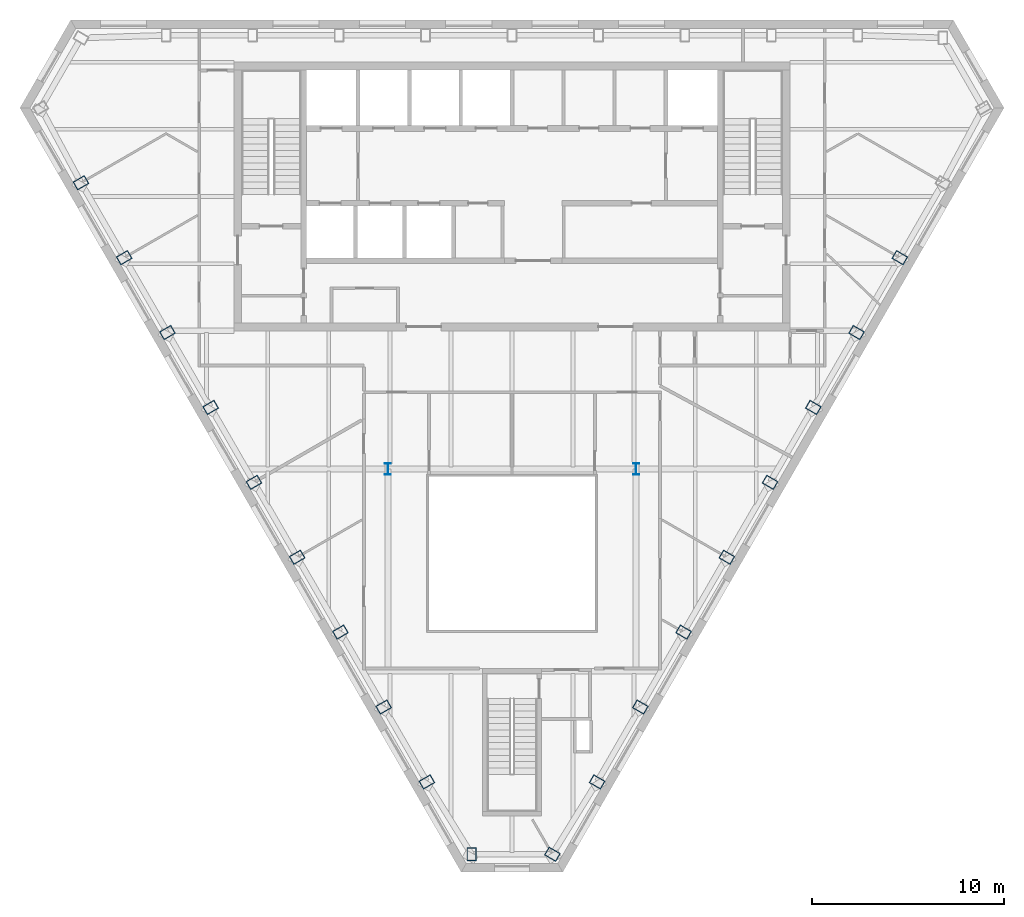
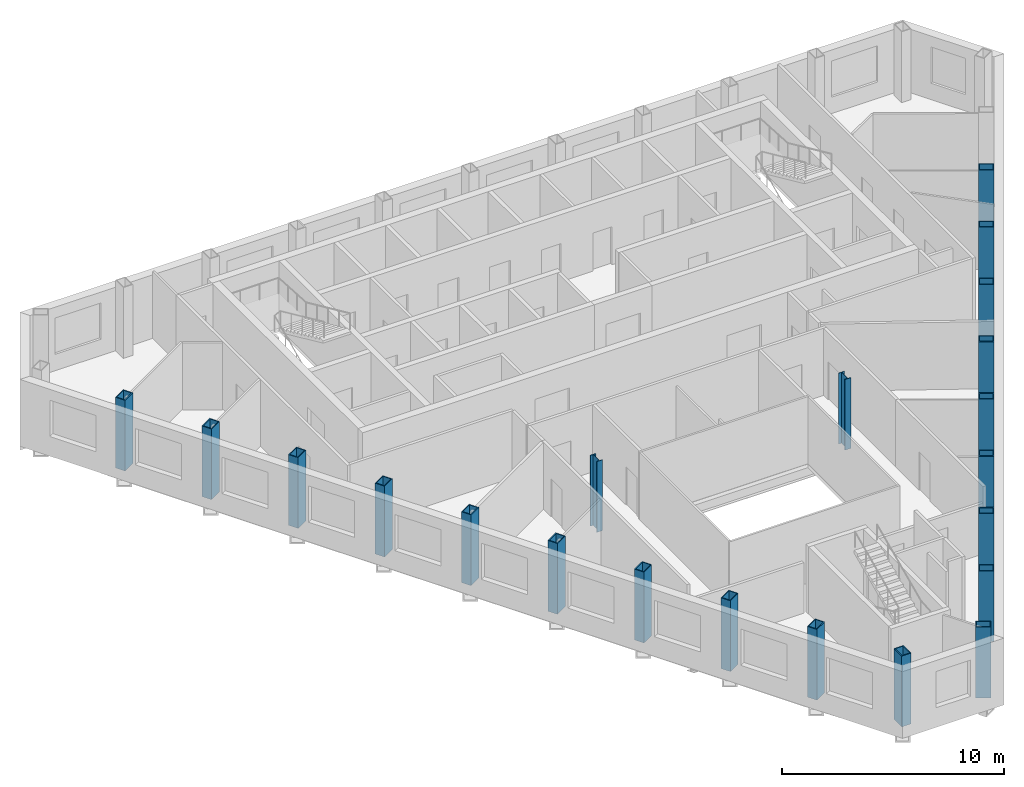
# One storey, part 1 of 10: 21 columns.
"""IFC4 building model written with IfcOpenShell, lengths in metres."""

from ifc_helpers import new_model, si_unit, direction, frame, origin, origin_2d, place, context, subcontext, project, spatial, hollow_rectangle, i_section, extrude, material, material_profile, profile_set, type_object, element, save


model = new_model("IFC4")

# Units and contexts
model_context = context("Model", 3, precision=1e-05, world=origin(), true_north=direction((0.0, 1.0)))
body_context = subcontext(model_context, "Body", "Model", "MODEL_VIEW")
ifc_project = project(units=[si_unit("LENGTHUNIT", "METRE"), si_unit("AREAUNIT", "SQUARE_METRE"), si_unit("VOLUMEUNIT", "CUBIC_METRE"), si_unit("PLANEANGLEUNIT", "RADIAN"), si_unit("MASSUNIT", "GRAM", prefix="KILO")], contexts=[model_context])

# Site, building, storey
site_placement = place(None, origin())
site = spatial("IfcSite", under=ifc_project, at=site_placement, CompositionType="ELEMENT")
building_placement = place(site_placement, origin())
building = spatial("IfcBuilding", under=site, at=building_placement, Name="Njiva Tower", CompositionType="ELEMENT")
storey_placement = place(building_placement, frame((0.0, 0.0, 280.5)))
storey = spatial("IfcBuildingStorey", under=building, at=storey_placement, Name="L64", CompositionType="ELEMENT", Elevation=280.5)

# Columns
ifc_material = material(Name="Steel S355 J2", Category="steel")
ifc_material_profile_1 = material_profile(ifc_material, hollow_rectangle(XDim=0.5, YDim=0.7, WallThickness=0.045, at=origin_2d()), Name="BOX 700x500x45")
ifc_profile_set_1 = profile_set([ifc_material_profile_1], Name="Steel S355 J2")
column_type_1 = type_object("IfcColumnType", Name="C13 Perimeter tube column BOX 700x500x45", PredefinedType="COLUMN", material=ifc_profile_set_1)
for number, where, z_axis, x_axis, name in (
    (1, (-22.467, 11.715, 0.0), (0.0, 0.0, 1.0), (0.5, -0.866025403784, 0.0), "Perimeter tube column S21-C13"),
    (2, (-20.214, 7.811, 0.0), (0.0, 0.0, 1.0), (0.5, -0.866025403784, 0.0), "Perimeter tube column S21-C14"),
    (3, (-17.96, 3.908, 0.0), (0.0, 0.0, 1.0), (0.5, -0.866025403784, 0.0), "Perimeter tube column S21-C15"),
    (4, (-15.706, 0.004, 0.0), (0.0, 0.0, 1.0), (0.5, -0.866025403784, 0.0), "Perimeter tube column S21-C16"),
    (5, (-13.452, -3.9, 0.0), (0.0, 0.0, 1.0), (0.5, -0.866025403784, 0.0), "Perimeter tube column S21-C17"),
    (6, (-11.198, -7.804, 0.0), (0.0, 0.0, 1.0), (0.5, -0.866025403784, 0.0), "Perimeter tube column S21-C18"),
    (7, (-8.945, -11.707, 0.0), (0.0, 0.0, 1.0), (0.5, -0.866025403784, 0.0), "Perimeter tube column S21-C19"),
    (8, (-6.691, -15.611, 0.0), (0.0, 0.0, 1.0), (0.5, -0.866025403784, 0.0), "Perimeter tube column S21-C20"),
    (9, (-4.437, -19.515, 0.0), (0.0, 0.0, 1.0), (0.5, -0.866025403784, 0.0), "Perimeter tube column S21-C21"),
    (10, (-2.106, -23.285, 0.0), (0.0, 0.0, 1.0), (1.0, 0.0, 0.0), "Perimeter tube column S21-C22"),
    (11, (2.106, -23.285, 0.0), (0.0, 0.0, 1.0), (0.5, 0.866025403784, 0.0), "Perimeter tube column S21-C23"),
    (12, (4.437, -19.515, 0.0), (0.0, 0.0, 1.0), (0.5, 0.866025403784, 0.0), "Perimeter tube column S21-C24"),
    (13, (6.691, -15.611, 0.0), (0.0, 0.0, 1.0), (0.5, 0.866025403784, 0.0), "Perimeter tube column S21-C25"),
    (14, (8.945, -11.707, 0.0), (0.0, 0.0, 1.0), (0.5, 0.866025403784, 0.0), "Perimeter tube column S21-C26"),
    (15, (11.198, -7.804, 0.0), (0.0, 0.0, 1.0), (0.5, 0.866025403784, 0.0), "Perimeter tube column S21-C27"),
    (16, (13.452, -3.9, 0.0), (0.0, 0.0, 1.0), (0.5, 0.866025403784, 0.0), "Perimeter tube column S21-C28"),
    (17, (15.706, 0.004, 0.0), (0.0, 0.0, 1.0), (0.5, 0.866025403784, 0.0), "Perimeter tube column S21-C29"),
    (18, (17.96, 3.908, 0.0), (0.0, 0.0, 1.0), (0.5, 0.866025403784, 0.0), "Perimeter tube column S21-C30"),
    (19, (20.214, 7.811, 0.0), (0.0, 0.0, 1.0), (0.5, 0.866025403784, 0.0), "Perimeter tube column S21-C31"),
):
    element("IfcColumn", number, at=place(storey_placement, frame(where, z_axis=z_axis, x_axis=x_axis)), inside=storey, type_object=column_type_1, Name=name, PredefinedType="COLUMN", context=body_context, shape_type="SweptSolid", body=[
        extrude(hollow_rectangle(XDim=0.5, YDim=0.7, WallThickness=0.045, at=origin_2d()), origin(), (0.0, 0.0, 1.0), 3.9),
    ])
ifc_material_profile_2 = material_profile(ifc_material, i_section(OverallWidth=0.3, OverallDepth=0.6, WebThickness=0.0155, FlangeThickness=0.03, at=origin_2d()), Name="HEB 600")
ifc_profile_set_2 = profile_set([ifc_material_profile_2], Name="Steel S355 J2")
column_type_2 = type_object("IfcColumnType", Name="C14 Interior column HEB 600", PredefinedType="COLUMN", material=ifc_profile_set_2)
for number, where, z_axis, x_axis, name in (
    (20, (6.47, -3.2, 0.0), (0.0, 0.0, 1.0), (1.0, 0.0, 0.0), "Interior column S21-C34"),
    (21, (-6.47, -3.2, 0.0), (0.0, 0.0, 1.0), (1.0, 0.0, 0.0), "Interior column S21-C35"),
):
    element("IfcColumn", number, at=place(storey_placement, frame(where, z_axis=z_axis, x_axis=x_axis)), inside=storey, type_object=column_type_2, Name=name, PredefinedType="COLUMN", context=body_context, shape_type="SweptSolid", body=[
        extrude(i_section(OverallWidth=0.3, OverallDepth=0.6, WebThickness=0.0155, FlangeThickness=0.03, at=origin_2d()), origin(), (0.0, 0.0, 1.0), 3.9),
    ])

save(model, "model.ifc")
